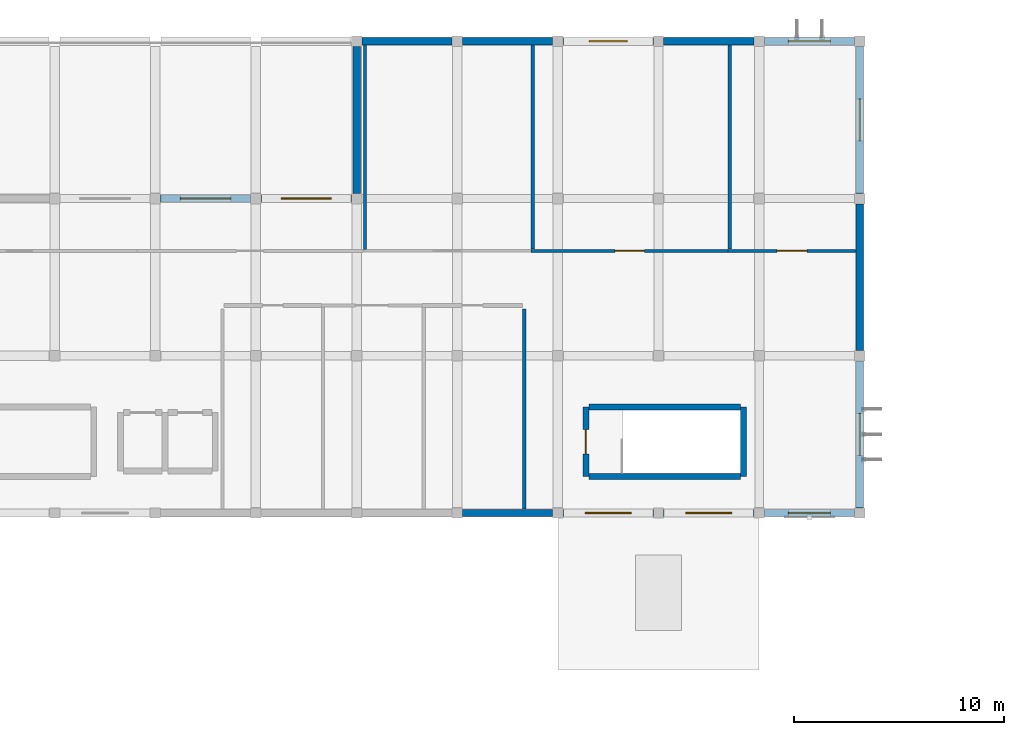
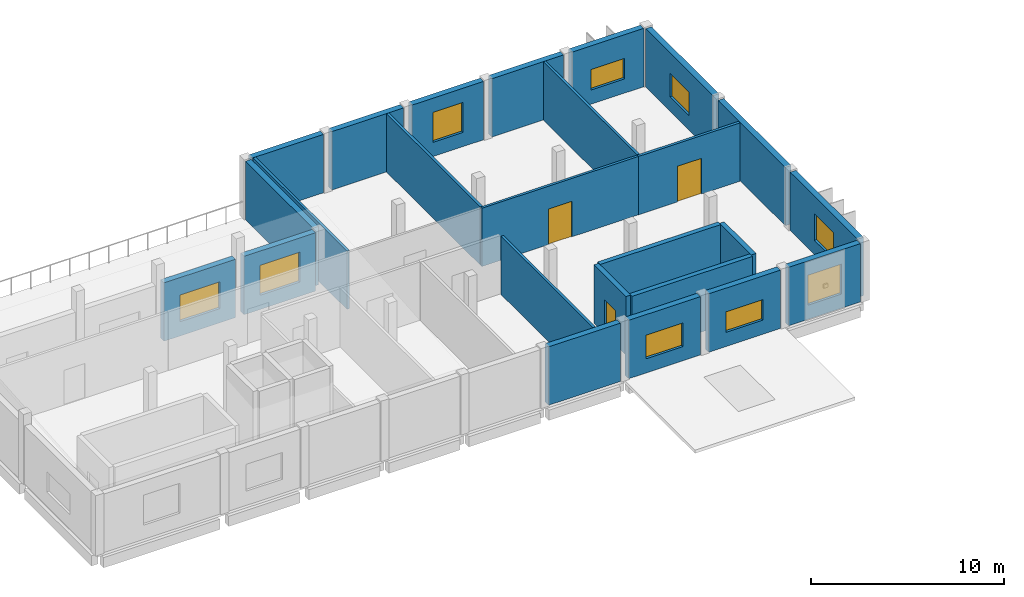
# One storey, part 10 of 21: 25 walls, 9 windows, 3 doors, 12 openings.
"""IFC4 building model written with IfcOpenShell, lengths in metres."""

from ifc_helpers import new_model, si_unit, direction, frame, frame_2d, origin, place, context, subcontext, project, spatial, rectangle, extrude, material, layer, layer_set, type_object, element, fill, save


model = new_model("IFC4")

# Units and contexts
model_context = context("Model", 3, precision=1e-05, world=origin(), true_north=direction((0.0, 1.0)))
body_context = subcontext(model_context, "Body", "Model", "MODEL_VIEW")
ifc_project = project(units=[si_unit("LENGTHUNIT", "METRE"), si_unit("AREAUNIT", "SQUARE_METRE"), si_unit("VOLUMEUNIT", "CUBIC_METRE"), si_unit("PLANEANGLEUNIT", "RADIAN"), si_unit("MASSUNIT", "GRAM", prefix="KILO")], contexts=[model_context])

# Site, building, storey
site_placement = place(None, origin())
site = spatial("IfcSite", under=ifc_project, at=site_placement, CompositionType="ELEMENT")
building_placement = place(site_placement, origin())
building = spatial("IfcBuilding", under=site, at=building_placement, Name="Mawjan Specialist Oncology Clinic", CompositionType="ELEMENT")
storey_placement = place(building_placement, frame((0.0, 0.0, 13.5)))
storey = spatial("IfcBuildingStorey", under=building, at=storey_placement, Name="L03", CompositionType="ELEMENT", Elevation=13.5)

# Walls
ifc_material_1 = material(Name="Precast concrete C40/50", Category="concrete")
ifc_layer_1 = layer(ifc_material_1, 0.35009765625, Name="Precast concrete C40/50", Category="concrete")
ifc_layer_set_1 = layer_set([ifc_layer_1], Name="Precast concrete C40/50")
wall_type_1 = type_object("IfcWallType", Name="EW-350", PredefinedType="SOLIDWALL", material=ifc_layer_set_1)
for number, where, z_axis, x_axis, name in (
    (1, (74.64990234375, 105.800048828125, 0.0), (0.0, 0.0, 1.0), (1.0, 0.0, 0.0), "L03 Coral-Limestone Exterior Wall EW-L03-302"),
    (2, (79.449951171875, 105.800048828125, 0.0), (0.0, 0.0, 1.0), (1.0, 0.0, 0.0), "L03 Coral-Limestone Exterior Wall EW-L03-303"),
):
    element("IfcWall", number, at=place(storey_placement, frame(where, z_axis=z_axis, x_axis=x_axis)), inside=storey, type_object=wall_type_1, Name=name, PredefinedType="SOLIDWALL", context=body_context, shape_type="SweptSolid", body=[
        extrude(rectangle(XDim=4.300048828125, YDim=0.35009765625, at=frame_2d((2.14990234375, 0.0))), origin(), (0.0, 0.0, 1.0), 3.699951171875),
    ])

# Wall, opening, window
wall_1_placement = place(storey_placement, frame((84.25, 105.800048828125, 0.0), z_axis=(0.0, 0.0, 1.0), x_axis=(1.0, 0.0, 0.0)))
wall_1 = element("IfcWall", 3, at=wall_1_placement, inside=storey, type_object=wall_type_1, Name="L03 Coral-Limestone Exterior Wall EW-L03-304", PredefinedType="SOLIDWALL", context=body_context, shape_type="SweptSolid", body=[
    extrude(rectangle(XDim=4.300048828125, YDim=0.35009765625, at=frame_2d((2.14990234375, 0.0))), origin(), (0.0, 0.0, 1.0), 3.699951171875),
])
opening_1_placement = place(wall_1_placement, frame((1.25, 0.0, 0.89990234375)))
opening_1 = element("IfcOpeningElement", 4, at=opening_1_placement, cuts=wall_1, Name="Opening WN-24", PredefinedType="OPENING", context=body_context, shape_type="SweptSolid", body=[
    extrude(rectangle(XDim=1.800048828125, YDim=1.89990234375, at=frame_2d((0.89990234375, 0.949951171875))), frame((0.0, 0.18701171875, 0.0), z_axis=(0.0, -1.0, 0.0), x_axis=(1.0, 0.0, 0.0)), (0.0, 0.0, 1.0), 0.3740234375),
])
ifc_material_2 = material(Name="Thermally broken low-E clinical aluminium window", Category="aluminium")
window_type_1 = type_object("IfcWindowType", Name="WN-24", PartitioningType="DOUBLE_PANEL_VERTICAL", PredefinedType="WINDOW", material=ifc_material_2)
window_1_placement = place(opening_1_placement, origin())
window_1 = element("IfcWindow", 5, at=window_1_placement, inside=storey, type_object=window_type_1, Name="L03 Clinical Low-E Window 060", OverallHeight=1.89990234375, OverallWidth=1.800048828125, PartitioningType="DOUBLE_PANEL_VERTICAL", PredefinedType="WINDOW", context=body_context, shape_type="SweptSolid", body=[
    extrude(rectangle(XDim=1.800048828125, YDim=1.89990234375, at=frame_2d((0.89990234375, 0.949951171875))), frame((0.0, 0.030029296875, 0.0), z_axis=(0.0, -1.0, 0.0), x_axis=(1.0, 0.0, 0.0)), (0.0, 0.0, 1.0), 0.06005859375),
])
fill(opening_1, window_1)

# Wall
wall_2_placement = place(storey_placement, frame((89.050048828125, 105.800048828125, 0.0), z_axis=(0.0, 0.0, 1.0), x_axis=(1.0, 0.0, 0.0)))
element("IfcWall", 6, at=wall_2_placement, inside=storey, type_object=wall_type_1, Name="L03 Coral-Limestone Exterior Wall EW-L03-305", PredefinedType="SOLIDWALL", context=body_context, shape_type="SweptSolid", body=[
    extrude(rectangle(XDim=4.300048828125, YDim=0.35009765625, at=frame_2d((2.14990234375, 0.0))), origin(), (0.0, 0.0, 1.0), 3.699951171875),
])

# Wall, opening, window
wall_3_placement = place(storey_placement, frame((93.85009765625, 105.800048828125, 0.0), z_axis=(0.0, 0.0, 1.0), x_axis=(1.0, 0.0, 0.0)))
wall_3 = element("IfcWall", 7, at=wall_3_placement, inside=storey, type_object=wall_type_1, Name="L03 Coral-Limestone Exterior Wall EW-L03-306", PredefinedType="SOLIDWALL", context=body_context, shape_type="SweptSolid", body=[
    extrude(rectangle(XDim=4.2998046875, YDim=0.35009765625, at=frame_2d((2.14990234375, 0.0))), origin(), (0.0, 0.0, 1.0), 3.699951171875),
])
opening_2_placement = place(wall_3_placement, frame((1.14990234375, 0.0, 0.89990234375)))
opening_2 = element("IfcOpeningElement", 8, at=opening_2_placement, cuts=wall_3, Name="Opening WN-25", PredefinedType="OPENING", context=body_context, shape_type="SweptSolid", body=[
    extrude(rectangle(XDim=2.0, YDim=1.300048828125, at=frame_2d((1.0, 0.64990234375))), frame((0.0, 0.18701171875, 0.0), z_axis=(0.0, -1.0, 0.0), x_axis=(1.0, 0.0, 0.0)), (0.0, 0.0, 1.0), 0.3740234375),
])
ifc_material_3 = material(Name="Thermally broken low-E clinical aluminium window", Category="aluminium")
window_type_2 = type_object("IfcWindowType", Name="WN-25", PartitioningType="DOUBLE_PANEL_VERTICAL", PredefinedType="WINDOW", material=ifc_material_3)
window_2_placement = place(opening_2_placement, origin())
window_2 = element("IfcWindow", 9, at=window_2_placement, inside=storey, type_object=window_type_2, Name="L03 Clinical Low-E Window 061", OverallHeight=1.300048828125, OverallWidth=2.0, PartitioningType="DOUBLE_PANEL_VERTICAL", PredefinedType="WINDOW", context=body_context, shape_type="SweptSolid", body=[
    extrude(rectangle(XDim=2.0, YDim=1.300048828125, at=frame_2d((1.0, 0.64990234375))), frame((0.0, 0.030029296875, 0.0), z_axis=(0.0, -1.0, 0.0), x_axis=(1.0, 0.0, 0.0)), (0.0, 0.0, 1.0), 0.06005859375),
])
fill(opening_2, window_2)

wall_4_placement = place(storey_placement, frame((98.39990234375, 105.550048828125, 0.0), z_axis=(0.0, 0.0, 1.0), x_axis=(0.0, -1.0, 0.0)))
wall_4 = element("IfcWall", 10, at=wall_4_placement, inside=storey, type_object=wall_type_1, Name="L03 Coral-Limestone Exterior Wall EW-L03-307", PredefinedType="SOLIDWALL", context=body_context, shape_type="SweptSolid", body=[
    extrude(rectangle(XDim=7.0, YDim=0.35009765625, at=frame_2d((3.5, 0.0))), origin(), (0.0, 0.0, 1.0), 3.699951171875),
])
opening_3_placement = place(wall_4_placement, frame((2.5, 0.0, 0.89990234375)))
opening_3 = element("IfcOpeningElement", 11, at=opening_3_placement, cuts=wall_4, Name="Opening WN-26", PredefinedType="OPENING", context=body_context, shape_type="SweptSolid", body=[
    extrude(rectangle(XDim=2.0, YDim=1.5, at=frame_2d((1.0, 0.75))), frame((0.0, 0.18701171875, 0.0), z_axis=(0.0, -1.0, 0.0), x_axis=(1.0, 0.0, 0.0)), (0.0, 0.0, 1.0), 0.3740234375),
])
ifc_material_4 = material(Name="Thermally broken low-E clinical aluminium window", Category="aluminium")
window_type_3 = type_object("IfcWindowType", Name="WN-26", PartitioningType="DOUBLE_PANEL_VERTICAL", PredefinedType="WINDOW", material=ifc_material_4)
window_3_placement = place(opening_3_placement, origin())
window_3 = element("IfcWindow", 12, at=window_3_placement, inside=storey, type_object=window_type_3, Name="L03 Clinical Low-E Window 062", OverallHeight=1.5, OverallWidth=2.0, PartitioningType="DOUBLE_PANEL_VERTICAL", PredefinedType="WINDOW", context=body_context, shape_type="SweptSolid", body=[
    extrude(rectangle(XDim=2.0, YDim=1.5, at=frame_2d((1.0, 0.75))), frame((0.0, 0.030029296875, 0.0), z_axis=(0.0, -1.0, 0.0), x_axis=(1.0, 0.0, 0.0)), (0.0, 0.0, 1.0), 0.06005859375),
])
fill(opening_3, window_3)

# Wall
wall_5_placement = place(storey_placement, frame((98.39990234375, 98.050048828125, 0.0), z_axis=(0.0, 0.0, 1.0), x_axis=(0.0, -1.0, 0.0)))
element("IfcWall", 13, at=wall_5_placement, inside=storey, type_object=wall_type_1, Name="L03 Coral-Limestone Exterior Wall EW-L03-308", PredefinedType="SOLIDWALL", context=body_context, shape_type="SweptSolid", body=[
    extrude(rectangle(XDim=7.0, YDim=0.35009765625, at=frame_2d((3.5, 0.0))), origin(), (0.0, 0.0, 1.0), 3.699951171875),
])

# Wall, opening, window
wall_6_placement = place(storey_placement, frame((98.39990234375, 90.550048828125, 0.0), z_axis=(0.0, 0.0, 1.0), x_axis=(0.0, -1.0, 0.0)))
wall_6 = element("IfcWall", 14, at=wall_6_placement, inside=storey, type_object=wall_type_1, Name="L03 Coral-Limestone Exterior Wall EW-L03-309", PredefinedType="SOLIDWALL", context=body_context, shape_type="SweptSolid", body=[
    extrude(rectangle(XDim=7.0, YDim=0.35009765625, at=frame_2d((3.5, 0.0))), origin(), (0.0, 0.0, 1.0), 3.699951171875),
])
opening_4_placement = place(wall_6_placement, frame((2.5, 0.0, 0.89990234375)))
opening_4 = element("IfcOpeningElement", 15, at=opening_4_placement, cuts=wall_6, Name="Opening WN-27", PredefinedType="OPENING", context=body_context, shape_type="SweptSolid", body=[
    extrude(rectangle(XDim=2.0, YDim=1.699951171875, at=frame_2d((1.0, 0.85009765625))), frame((0.0, 0.18701171875, 0.0), z_axis=(0.0, -1.0, 0.0), x_axis=(1.0, 0.0, 0.0)), (0.0, 0.0, 1.0), 0.3740234375),
])
ifc_material_5 = material(Name="Thermally broken low-E clinical aluminium window", Category="aluminium")
window_type_4 = type_object("IfcWindowType", Name="WN-27", PartitioningType="DOUBLE_PANEL_VERTICAL", PredefinedType="WINDOW", material=ifc_material_5)
window_4_placement = place(opening_4_placement, origin())
window_4 = element("IfcWindow", 16, at=window_4_placement, inside=storey, type_object=window_type_4, Name="L03 Clinical Low-E Window 063", OverallHeight=1.699951171875, OverallWidth=2.0, PartitioningType="DOUBLE_PANEL_VERTICAL", PredefinedType="WINDOW", context=body_context, shape_type="SweptSolid", body=[
    extrude(rectangle(XDim=2.0, YDim=1.699951171875, at=frame_2d((1.0, 0.85009765625))), frame((0.0, 0.030029296875, 0.0), z_axis=(0.0, -1.0, 0.0), x_axis=(1.0, 0.0, 0.0)), (0.0, 0.0, 1.0), 0.06005859375),
])
fill(opening_4, window_4)

wall_7_placement = place(storey_placement, frame((98.14990234375, 83.300048828125, 0.0), z_axis=(0.0, 0.0, 1.0), x_axis=(-1.0, 0.0, 0.0)))
wall_7 = element("IfcWall", 17, at=wall_7_placement, inside=storey, type_object=wall_type_1, Name="L03 Coral-Limestone Exterior Wall EW-L03-310", PredefinedType="SOLIDWALL", context=body_context, shape_type="SweptSolid", body=[
    extrude(rectangle(XDim=4.2998046875, YDim=0.35009765625, at=frame_2d((2.14990234375, 0.0))), origin(), (0.0, 0.0, 1.0), 3.699951171875),
])
opening_5_placement = place(wall_7_placement, frame((1.14990234375, 0.0, 0.89990234375)))
opening_5 = element("IfcOpeningElement", 18, at=opening_5_placement, cuts=wall_7, Name="Opening WN-28", PredefinedType="OPENING", context=body_context, shape_type="SweptSolid", body=[
    extrude(rectangle(XDim=2.0, YDim=1.89990234375, at=frame_2d((1.0, 0.949951171875))), frame((0.0, 0.18701171875, 0.0), z_axis=(0.0, -1.0, 0.0), x_axis=(1.0, 0.0, 0.0)), (0.0, 0.0, 1.0), 0.3740234375),
])
ifc_material_6 = material(Name="Thermally broken low-E clinical aluminium window", Category="aluminium")
window_type_5 = type_object("IfcWindowType", Name="WN-28", PartitioningType="DOUBLE_PANEL_VERTICAL", PredefinedType="WINDOW", material=ifc_material_6)
window_5_placement = place(opening_5_placement, origin())
window_5 = element("IfcWindow", 19, at=window_5_placement, inside=storey, type_object=window_type_5, Name="L03 Clinical Low-E Window 064", OverallHeight=1.89990234375, OverallWidth=2.0, PartitioningType="DOUBLE_PANEL_VERTICAL", PredefinedType="WINDOW", context=body_context, shape_type="SweptSolid", body=[
    extrude(rectangle(XDim=2.0, YDim=1.89990234375, at=frame_2d((1.0, 0.949951171875))), frame((0.0, 0.030029296875, 0.0), z_axis=(0.0, -1.0, 0.0), x_axis=(1.0, 0.0, 0.0)), (0.0, 0.0, 1.0), 0.06005859375),
])
fill(opening_5, window_5)

wall_8_placement = place(storey_placement, frame((93.35009765625, 83.300048828125, 0.0), z_axis=(0.0, 0.0, 1.0), x_axis=(-1.0, 0.0, 0.0)))
wall_8 = element("IfcWall", 20, at=wall_8_placement, inside=storey, type_object=wall_type_1, Name="L03 Coral-Limestone Exterior Wall EW-L03-311", PredefinedType="SOLIDWALL", context=body_context, shape_type="SweptSolid", body=[
    extrude(rectangle(XDim=4.300048828125, YDim=0.35009765625, at=frame_2d((2.14990234375, 0.0))), origin(), (0.0, 0.0, 1.0), 3.699951171875),
])
opening_6_placement = place(wall_8_placement, frame((1.050048828125, 0.0, 0.89990234375)))
opening_6 = element("IfcOpeningElement", 21, at=opening_6_placement, cuts=wall_8, Name="Opening WN-29", PredefinedType="OPENING", context=body_context, shape_type="SweptSolid", body=[
    extrude(rectangle(XDim=2.199951171875, YDim=1.300048828125, at=frame_2d((1.10009765625, 0.64990234375))), frame((0.0, 0.18701171875, 0.0), z_axis=(0.0, -1.0, 0.0), x_axis=(1.0, 0.0, 0.0)), (0.0, 0.0, 1.0), 0.3740234375),
])
ifc_material_7 = material(Name="Thermally broken low-E clinical aluminium window", Category="aluminium")
window_type_6 = type_object("IfcWindowType", Name="WN-29", PartitioningType="DOUBLE_PANEL_VERTICAL", PredefinedType="WINDOW", material=ifc_material_7)
window_6_placement = place(opening_6_placement, origin())
window_6 = element("IfcWindow", 22, at=window_6_placement, inside=storey, type_object=window_type_6, Name="L03 Clinical Low-E Window 065", OverallHeight=1.300048828125, OverallWidth=2.199951171875, PartitioningType="DOUBLE_PANEL_VERTICAL", PredefinedType="WINDOW", context=body_context, shape_type="SweptSolid", body=[
    extrude(rectangle(XDim=2.199951171875, YDim=1.300048828125, at=frame_2d((1.10009765625, 0.64990234375))), frame((0.0, 0.030029296875, 0.0), z_axis=(0.0, -1.0, 0.0), x_axis=(1.0, 0.0, 0.0)), (0.0, 0.0, 1.0), 0.06005859375),
])
fill(opening_6, window_6)

wall_9_placement = place(storey_placement, frame((88.550048828125, 83.300048828125, 0.0), z_axis=(0.0, 0.0, 1.0), x_axis=(-1.0, 0.0, 0.0)))
wall_9 = element("IfcWall", 23, at=wall_9_placement, inside=storey, type_object=wall_type_1, Name="L03 Coral-Limestone Exterior Wall EW-L03-312", PredefinedType="SOLIDWALL", context=body_context, shape_type="SweptSolid", body=[
    extrude(rectangle(XDim=4.300048828125, YDim=0.35009765625, at=frame_2d((2.14990234375, 0.0))), origin(), (0.0, 0.0, 1.0), 3.699951171875),
])
opening_7_placement = place(wall_9_placement, frame((1.050048828125, 0.0, 0.89990234375)))
opening_7 = element("IfcOpeningElement", 24, at=opening_7_placement, cuts=wall_9, Name="Opening WN-30", PredefinedType="OPENING", context=body_context, shape_type="SweptSolid", body=[
    extrude(rectangle(XDim=2.199951171875, YDim=1.5, at=frame_2d((1.10009765625, 0.75))), frame((0.0, 0.18701171875, 0.0), z_axis=(0.0, -1.0, 0.0), x_axis=(1.0, 0.0, 0.0)), (0.0, 0.0, 1.0), 0.3740234375),
])
ifc_material_8 = material(Name="Thermally broken low-E clinical aluminium window", Category="aluminium")
window_type_7 = type_object("IfcWindowType", Name="WN-30", PartitioningType="DOUBLE_PANEL_VERTICAL", PredefinedType="WINDOW", material=ifc_material_8)
window_7_placement = place(opening_7_placement, origin())
window_7 = element("IfcWindow", 25, at=window_7_placement, inside=storey, type_object=window_type_7, Name="L03 Clinical Low-E Window 066", OverallHeight=1.5, OverallWidth=2.199951171875, PartitioningType="DOUBLE_PANEL_VERTICAL", PredefinedType="WINDOW", context=body_context, shape_type="SweptSolid", body=[
    extrude(rectangle(XDim=2.199951171875, YDim=1.5, at=frame_2d((1.10009765625, 0.75))), frame((0.0, 0.030029296875, 0.0), z_axis=(0.0, -1.0, 0.0), x_axis=(1.0, 0.0, 0.0)), (0.0, 0.0, 1.0), 0.06005859375),
])
fill(opening_7, window_7)

# Wall
wall_10_placement = place(storey_placement, frame((83.75, 83.300048828125, 0.0), z_axis=(0.0, 0.0, 1.0), x_axis=(-1.0, 0.0, 0.0)))
element("IfcWall", 26, at=wall_10_placement, inside=storey, type_object=wall_type_1, Name="L03 Coral-Limestone Exterior Wall EW-L03-313", PredefinedType="SOLIDWALL", context=body_context, shape_type="SweptSolid", body=[
    extrude(rectangle(XDim=4.300048828125, YDim=0.35009765625, at=frame_2d((2.14990234375, 0.0))), origin(), (0.0, 0.0, 1.0), 3.699951171875),
])

# Wall, opening, window
wall_11_placement = place(storey_placement, frame((65.050048828125, 98.300048828125, 0.0), z_axis=(0.0, 0.0, 1.0), x_axis=(1.0, 0.0, 0.0)))
wall_11 = element("IfcWall", 27, at=wall_11_placement, inside=storey, type_object=wall_type_1, Name="L03 Coral-Limestone Exterior Wall EW-L03-323", PredefinedType="SOLIDWALL", context=body_context, shape_type="SweptSolid", body=[
    extrude(rectangle(XDim=4.300048828125, YDim=0.35009765625, at=frame_2d((2.14990234375, 0.0))), origin(), (0.0, 0.0, 1.0), 3.699951171875),
])
opening_8_placement = place(wall_11_placement, frame((0.949951171875, 0.0, 0.89990234375)))
opening_8 = element("IfcOpeningElement", 28, at=opening_8_placement, cuts=wall_11, Name="Opening WN-35", PredefinedType="OPENING", context=body_context, shape_type="SweptSolid", body=[
    extrude(rectangle(XDim=2.39990234375, YDim=1.699951171875, at=frame_2d((1.199951171875, 0.85009765625))), frame((0.0, 0.18701171875, 0.0), z_axis=(0.0, -1.0, 0.0), x_axis=(1.0, 0.0, 0.0)), (0.0, 0.0, 1.0), 0.3740234375),
])
ifc_material_9 = material(Name="Thermally broken low-E clinical aluminium window", Category="aluminium")
window_type_8 = type_object("IfcWindowType", Name="WN-35", PartitioningType="DOUBLE_PANEL_VERTICAL", PredefinedType="WINDOW", material=ifc_material_9)
window_8_placement = place(opening_8_placement, origin())
window_8 = element("IfcWindow", 29, at=window_8_placement, inside=storey, type_object=window_type_8, Name="L03 Clinical Low-E Window 071", OverallHeight=1.699951171875, OverallWidth=2.39990234375, PartitioningType="DOUBLE_PANEL_VERTICAL", PredefinedType="WINDOW", context=body_context, shape_type="SweptSolid", body=[
    extrude(rectangle(XDim=2.39990234375, YDim=1.699951171875, at=frame_2d((1.199951171875, 0.85009765625))), frame((0.0, 0.030029296875, 0.0), z_axis=(0.0, -1.0, 0.0), x_axis=(1.0, 0.0, 0.0)), (0.0, 0.0, 1.0), 0.06005859375),
])
fill(opening_8, window_8)

wall_12_placement = place(storey_placement, frame((69.85009765625, 98.300048828125, 0.0), z_axis=(0.0, 0.0, 1.0), x_axis=(1.0, 0.0, 0.0)))
wall_12 = element("IfcWall", 30, at=wall_12_placement, inside=storey, type_object=wall_type_1, Name="L03 Coral-Limestone Exterior Wall EW-L03-324", PredefinedType="SOLIDWALL", context=body_context, shape_type="SweptSolid", body=[
    extrude(rectangle(XDim=4.2998046875, YDim=0.35009765625, at=frame_2d((2.14990234375, 0.0))), origin(), (0.0, 0.0, 1.0), 3.699951171875),
])
opening_9_placement = place(wall_12_placement, frame((0.949951171875, 0.0, 0.89990234375)))
opening_9 = element("IfcOpeningElement", 31, at=opening_9_placement, cuts=wall_12, Name="Opening WN-36", PredefinedType="OPENING", context=body_context, shape_type="SweptSolid", body=[
    extrude(rectangle(XDim=2.39990234375, YDim=1.89990234375, at=frame_2d((1.199951171875, 0.949951171875))), frame((0.0, 0.18701171875, 0.0), z_axis=(0.0, -1.0, 0.0), x_axis=(1.0, 0.0, 0.0)), (0.0, 0.0, 1.0), 0.3740234375),
])
ifc_material_10 = material(Name="Thermally broken low-E clinical aluminium window", Category="aluminium")
window_type_9 = type_object("IfcWindowType", Name="WN-36", PartitioningType="DOUBLE_PANEL_VERTICAL", PredefinedType="WINDOW", material=ifc_material_10)
window_9_placement = place(opening_9_placement, origin())
window_9 = element("IfcWindow", 32, at=window_9_placement, inside=storey, type_object=window_type_9, Name="L03 Clinical Low-E Window 072", OverallHeight=1.89990234375, OverallWidth=2.39990234375, PartitioningType="DOUBLE_PANEL_VERTICAL", PredefinedType="WINDOW", context=body_context, shape_type="SweptSolid", body=[
    extrude(rectangle(XDim=2.39990234375, YDim=1.89990234375, at=frame_2d((1.199951171875, 0.949951171875))), frame((0.0, 0.030029296875, 0.0), z_axis=(0.0, -1.0, 0.0), x_axis=(1.0, 0.0, 0.0)), (0.0, 0.0, 1.0), 0.06005859375),
])
fill(opening_9, window_9)

# Walls
wall_13_placement = place(storey_placement, frame((74.39990234375, 98.550048828125, 0.0), z_axis=(0.0, 0.0, 1.0), x_axis=(0.0, 1.0, 0.0)))
element("IfcWall", 33, at=wall_13_placement, inside=storey, type_object=wall_type_1, Name="L03 Coral-Limestone Exterior Wall EW-L03-325", PredefinedType="SOLIDWALL", context=body_context, shape_type="SweptSolid", body=[
    extrude(rectangle(XDim=7.0, YDim=0.35009765625, at=frame_2d((3.5, 0.0))), origin(), (0.0, 0.0, 1.0), 3.699951171875),
])
ifc_material_11 = material(Name="Concrete C45/55", Category="concrete")
ifc_layer_2 = layer(ifc_material_11, 0.280029296875, Name="Concrete C45/55", Category="concrete")
ifc_layer_set_2 = layer_set([ifc_layer_2], Name="Concrete C45/55")
wall_type_2 = type_object("IfcWallType", Name="SW-300", PredefinedType="SHEAR", material=ifc_layer_set_2)
wall_14_placement = place(storey_placement, frame((85.485107421875, 85.0400390625, 0.0), z_axis=(0.0, 0.0, 1.0), x_axis=(1.0, 0.0, 0.0)))
element("IfcWall", 34, at=wall_14_placement, inside=storey, type_object=wall_type_2, Name="L03 Core K4 Stair Shear Wall 1", PredefinedType="SHEAR", context=body_context, shape_type="SweptSolid", body=[
    extrude(rectangle(XDim=7.22998046875, YDim=0.280029296875, at=frame_2d((3.614990234375, 0.0))), origin(), (0.0, 0.0, 1.0), 3.719970703125),
])
wall_15_placement = place(storey_placement, frame((92.860107421875, 85.0400390625, 0.0), z_axis=(0.0, 0.0, 1.0), x_axis=(0.0, 1.0, 0.0)))
element("IfcWall", 35, at=wall_15_placement, inside=storey, type_object=wall_type_2, Name="L03 Core K4 Stair Shear Wall 2", PredefinedType="SHEAR", context=body_context, shape_type="SweptSolid", body=[
    extrude(rectangle(XDim=3.320068359375, YDim=0.280029296875, at=frame_2d((1.66015625, 0.0))), origin(), (0.0, 0.0, 1.0), 3.719970703125),
])
wall_16_placement = place(storey_placement, frame((92.715087890625, 88.360107421875, 0.0), z_axis=(0.0, 0.0, 1.0), x_axis=(-1.0, 0.0, 0.0)))
element("IfcWall", 36, at=wall_16_placement, inside=storey, type_object=wall_type_2, Name="L03 Core K4 Stair Shear Wall 3", PredefinedType="SHEAR", context=body_context, shape_type="SweptSolid", body=[
    extrude(rectangle(XDim=7.22998046875, YDim=0.280029296875, at=frame_2d((3.614990234375, 0.0))), origin(), (0.0, 0.0, 1.0), 3.719970703125),
])

# Wall, opening, door
wall_17_placement = place(storey_placement, frame((85.340087890625, 88.360107421875, 0.0), z_axis=(0.0, 0.0, 1.0), x_axis=(0.0, -1.0, 0.0)))
wall_17 = element("IfcWall", 37, at=wall_17_placement, inside=storey, type_object=wall_type_2, Name="L03 Core K4 Stair Shear Wall 4", PredefinedType="SHEAR", context=body_context, shape_type="SweptSolid", body=[
    extrude(rectangle(XDim=3.320068359375, YDim=0.280029296875, at=frame_2d((1.66015625, 0.0))), origin(), (0.0, 0.0, 1.0), 3.719970703125),
])
opening_10_placement = place(wall_17_placement, frame((1.0849609375, 0.0, 0.0)))
opening_10 = element("IfcOpeningElement", 38, at=opening_10_placement, cuts=wall_17, Name="Opening FD-90", PredefinedType="OPENING", context=body_context, shape_type="SweptSolid", body=[
    extrude(rectangle(XDim=1.14990234375, YDim=2.14990234375, at=frame_2d((0.574951171875, 1.074951171875))), frame((0.0, 0.152099609375, 0.0), z_axis=(0.0, -1.0, 0.0), x_axis=(1.0, 0.0, 0.0)), (0.0, 0.0, 1.0), 0.303955078125),
])
ifc_material_12 = material(Name="Stainless-steel fire-rated hospital door", Category="steel")
door_type_1 = type_object("IfcDoorType", Name="FD-90", OperationType="NOTDEFINED", PredefinedType="DOOR", material=ifc_material_12)
door_1_placement = place(opening_10_placement, origin())
door_1 = element("IfcDoor", 39, at=door_1_placement, inside=storey, type_object=door_type_1, Name="L03 ST-04 Fire Exit Stair Door", OperationType="SINGLE_SWING_RIGHT", OverallHeight=2.14990234375, OverallWidth=1.14990234375, PredefinedType="DOOR", context=body_context, shape_type="SweptSolid", body=[
    extrude(rectangle(XDim=1.14990234375, YDim=2.14990234375, at=frame_2d((0.574951171875, 1.074951171875))), frame((0.0, 0.02490234375, 0.0), z_axis=(0.0, -1.0, 0.0), x_axis=(1.0, 0.0, 0.0)), (0.0, 0.0, 1.0), 0.050048828125),
])
fill(opening_10, door_1)

ifc_material_13 = material(Name="Acoustic gypsum clinical partition", Category="gypsum")
ifc_layer_3 = layer(ifc_material_13, 0.14990234375, Name="Acoustic gypsum clinical partition", Category="gypsum")
ifc_layer_set_3 = layer_set([ifc_layer_3], Name="Acoustic gypsum clinical partition")
wall_type_3 = type_object("IfcWallType", Name="WP-150", PredefinedType="PARTITIONING", material=ifc_layer_set_3)
wall_18_placement = place(storey_placement, frame((82.72705078125, 95.800048828125, 0.0), z_axis=(0.0, 0.0, 1.0), x_axis=(1.0, 0.0, 0.0)))
wall_18 = element("IfcWall", 40, at=wall_18_placement, inside=storey, type_object=wall_type_3, Name="L03 Interior Partition W-INT-L03-P35-C", PredefinedType="PARTITIONING", context=body_context, shape_type="SweptSolid", body=[
    extrude(rectangle(XDim=9.387939453125, YDim=0.14990234375, at=frame_2d((4.69384765625, 0.0))), origin(), (0.0, 0.0, 1.0), 3.699951171875),
])
opening_11_placement = place(wall_18_placement, frame((3.993896484375, 0.0, 0.0)))
opening_11 = element("IfcOpeningElement", 41, at=opening_11_placement, cuts=wall_18, Name="Opening DC-140", PredefinedType="OPENING", context=body_context, shape_type="SweptSolid", body=[
    extrude(rectangle(XDim=1.39990234375, YDim=2.25, at=frame_2d((0.699951171875, 1.125))), frame((0.0, 0.0869140625, 0.0), z_axis=(0.0, -1.0, 0.0), x_axis=(1.0, 0.0, 0.0)), (0.0, 0.0, 1.0), 0.173828125),
])
ifc_material_14 = material(Name="Acoustic laminate hospital door leaf", Category="wood")
door_type_2 = type_object("IfcDoorType", Name="DC-140", OperationType="NOTDEFINED", PredefinedType="DOOR", material=ifc_material_14)
door_2_placement = place(opening_11_placement, origin())
door_2 = element("IfcDoor", 42, at=door_2_placement, inside=storey, type_object=door_type_2, Name="L03 Investigational Drug Storage Room Door", OperationType="SINGLE_SWING_RIGHT", OverallHeight=2.25, OverallWidth=1.39990234375, PredefinedType="DOOR", context=body_context, shape_type="SweptSolid", body=[
    extrude(rectangle(XDim=1.39990234375, YDim=2.25, at=frame_2d((0.699951171875, 1.125))), frame((0.0, 0.02490234375, 0.0), z_axis=(0.0, -1.0, 0.0), x_axis=(1.0, 0.0, 0.0)), (0.0, 0.0, 1.0), 0.050048828125),
])
fill(opening_11, door_2)

# Walls
wall_19_placement = place(storey_placement, frame((74.800048828125, 95.87451171875, 0.0), z_axis=(0.0, 0.0, 1.0), x_axis=(0.0, 1.0, 0.0)))
element("IfcWall", 43, at=wall_19_placement, inside=storey, type_object=wall_type_3, Name="L03 Interior Partition W-INT-L03-P38-D", PredefinedType="PARTITIONING", context=body_context, shape_type="SweptSolid", body=[
    extrude(rectangle(XDim=9.738525390625, YDim=0.14990234375, at=frame_2d((4.869140625, 0.0))), origin(), (0.0, 0.0, 1.0), 3.699951171875),
])
wall_20_placement = place(storey_placement, frame((92.199951171875, 95.89208984375, 0.0), z_axis=(0.0, 0.0, 1.0), x_axis=(0.0, 1.0, 0.0)))
element("IfcWall", 44, at=wall_20_placement, inside=storey, type_object=wall_type_3, Name="L03 Interior Partition W-INT-L03-P35-D", PredefinedType="PARTITIONING", context=body_context, shape_type="SweptSolid", body=[
    extrude(rectangle(XDim=9.720947265625, YDim=0.14990234375, at=frame_2d((4.8603515625, 0.0))), origin(), (0.0, 0.0, 1.0), 3.699951171875),
])
wall_21_placement = place(storey_placement, frame((82.39990234375, 83.487060546875, 0.0), z_axis=(0.0, 0.0, 1.0), x_axis=(0.0, 1.0, 0.0)))
element("IfcWall", 45, at=wall_21_placement, inside=storey, type_object=wall_type_3, Name="L03 Interior Partition W-INT-L03-P33-D", PredefinedType="PARTITIONING", context=body_context, shape_type="SweptSolid", body=[
    extrude(rectangle(XDim=9.5478515625, YDim=0.14990234375, at=frame_2d((4.77392578125, 0.0))), origin(), (0.0, 0.0, 1.0), 3.699951171875),
])

# Wall, opening, door
ifc_material_15 = material(Name="Acoustic clinical twin-stud partition", Category="gypsum")
ifc_layer_4 = layer(ifc_material_15, 0.159912109375, Name="Acoustic clinical twin-stud partition", Category="gypsum")
ifc_layer_set_4 = layer_set([ifc_layer_4], Name="Acoustic clinical twin-stud partition")
wall_type_4 = type_object("IfcWallType", Name="WP-160", PredefinedType="PARTITIONING", material=ifc_layer_set_4)
wall_22_placement = place(storey_placement, frame((92.126953125, 95.800048828125, 0.0), z_axis=(0.0, 0.0, 1.0), x_axis=(1.0, 0.0, 0.0)))
wall_22 = element("IfcWall", 46, at=wall_22_placement, inside=storey, type_object=wall_type_4, Name="L03 Interior Partition W-INT-L03-P36-C", PredefinedType="PARTITIONING", context=body_context, shape_type="SweptSolid", body=[
    extrude(rectangle(XDim=6.0859375, YDim=0.159912109375, at=frame_2d((3.04296875, 0.0))), origin(), (0.0, 0.0, 1.0), 3.699951171875),
])
opening_12_placement = place(wall_22_placement, frame((2.318115234375, 0.0, 0.0)))
opening_12 = element("IfcOpeningElement", 47, at=opening_12_placement, cuts=wall_22, Name="Opening DC-145", PredefinedType="OPENING", context=body_context, shape_type="SweptSolid", body=[
    extrude(rectangle(XDim=1.449951171875, YDim=2.260009765625, at=frame_2d((0.72509765625, 1.1298828125))), frame((0.0, 0.092041015625, 0.0), z_axis=(0.0, -1.0, 0.0), x_axis=(1.0, 0.0, 0.0)), (0.0, 0.0, 1.0), 0.183837890625),
])
ifc_material_16 = material(Name="Acoustic laminate hospital door leaf", Category="wood")
door_type_3 = type_object("IfcDoorType", Name="DC-145", OperationType="NOTDEFINED", PredefinedType="DOOR", material=ifc_material_16)
door_3_placement = place(opening_12_placement, origin())
door_3 = element("IfcDoor", 48, at=door_3_placement, inside=storey, type_object=door_type_3, Name="L03 Accessible Staff Toilet Door", OperationType="SINGLE_SWING_LEFT", OverallHeight=2.260009765625, OverallWidth=1.449951171875, PredefinedType="DOOR", context=body_context, shape_type="SweptSolid", body=[
    extrude(rectangle(XDim=1.449951171875, YDim=2.260009765625, at=frame_2d((0.72509765625, 1.1298828125))), frame((0.0, 0.02490234375, 0.0), z_axis=(0.0, -1.0, 0.0), x_axis=(1.0, 0.0, 0.0)), (0.0, 0.0, 1.0), 0.050048828125),
])
fill(opening_12, door_3)

# Wall
wall_23_placement = place(storey_placement, frame((82.800048828125, 95.886962890625, 0.0), z_axis=(0.0, 0.0, 1.0), x_axis=(0.0, 1.0, 0.0)))
element("IfcWall", 49, at=wall_23_placement, inside=storey, type_object=wall_type_4, Name="L03 Interior Partition W-INT-L03-P34-D", PredefinedType="PARTITIONING", context=body_context, shape_type="SweptSolid", body=[
    extrude(rectangle(XDim=9.72607421875, YDim=0.159912109375, at=frame_2d((4.863037109375, 0.0))), origin(), (0.0, 0.0, 1.0), 3.699951171875),
])

save(model, "model.ifc")
